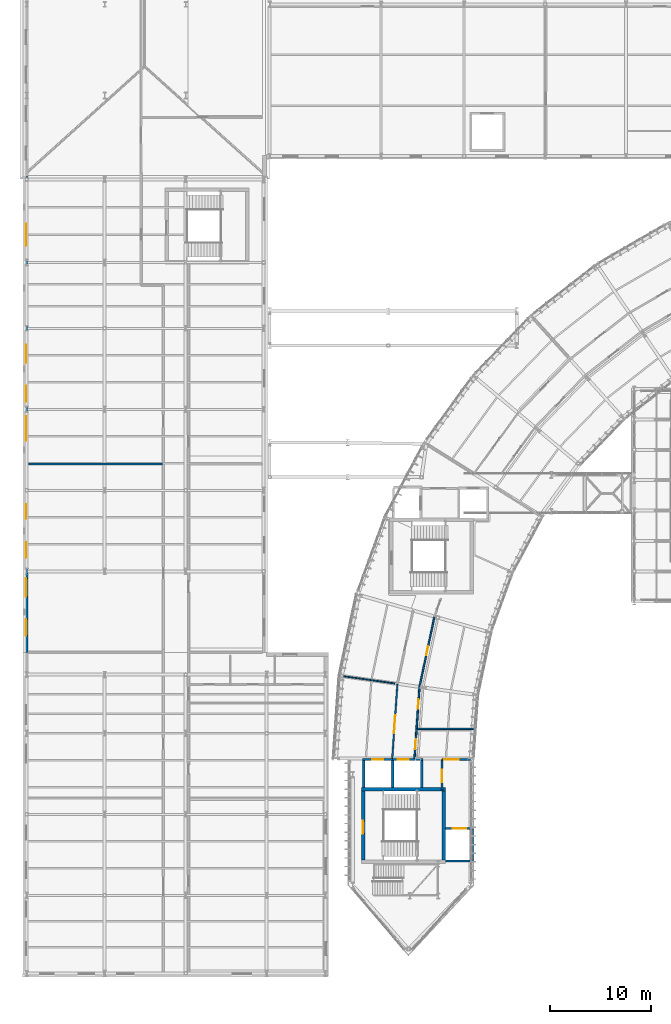
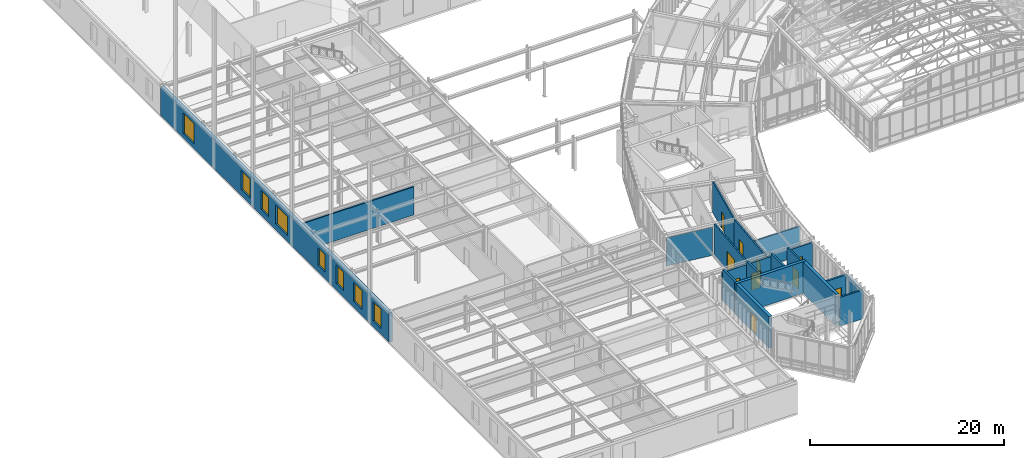
# One storey, part 125 of 148: 20 walls, 10 doors, 8 windows, 18 openings.
"""IFC4 building model written with IfcOpenShell, lengths in metres."""

from ifc_helpers import new_model, si_unit, direction, frame, frame_2d, origin, place, context, subcontext, project, spatial, rectangle, extrude, material, layer, layer_set, type_object, element, fill, save


model = new_model("IFC4")

# Units and contexts
model_context = context("Model", 3, precision=1e-05, world=origin(), true_north=direction((0.0, 1.0)))
body_context = subcontext(model_context, "Body", "Model", "MODEL_VIEW")
ifc_project = project(units=[si_unit("LENGTHUNIT", "METRE"), si_unit("AREAUNIT", "SQUARE_METRE"), si_unit("VOLUMEUNIT", "CUBIC_METRE"), si_unit("PLANEANGLEUNIT", "RADIAN"), si_unit("MASSUNIT", "GRAM", prefix="KILO"), si_unit("THERMODYNAMICTEMPERATUREUNIT", "KELVIN"), si_unit("POWERUNIT", "WATT")], contexts=[model_context])

# Site, building, storey
site_placement = place(None, origin())
site = spatial("IfcSite", under=ifc_project, at=site_placement, CompositionType="ELEMENT")
building_placement = place(site_placement, origin())
building = spatial("IfcBuilding", under=site, at=building_placement, Name="Solvatero Civic Police Headquarters", CompositionType="ELEMENT")
storey_placement = place(building_placement, frame((0.0, 0.0, 5.10009765625)))
storey = spatial("IfcBuildingStorey", under=building, at=storey_placement, Name="L01", CompositionType="ELEMENT", Elevation=5.10009765625)

# Wall, openings, windows
ifc_material_1 = material(Name="Cream Limestone Ashlar", Category="masonry")
ifc_layer_1 = layer(ifc_material_1, 0.419921875)
ifc_layer_set_1 = layer_set([ifc_layer_1], Name="Cream Limestone Ashlar")
wall_type_1 = type_object("IfcWallType", Name="WL-EXT-LIME-420", PredefinedType="SOLIDWALL", material=ifc_layer_set_1)
wall_1_placement = place(storey_placement, frame((4.719970703125, 36.5, 0.0), z_axis=(0.0, 0.0, 1.0), x_axis=(0.0, 1.0, 0.0)))
wall_1 = element("IfcWall", 1, at=wall_1_placement, inside=storey, type_object=wall_type_1, Name="Exterior Wall WLE-L01-V6-W", PredefinedType="SOLIDWALL", context=body_context, shape_type="SweptSolid", body=[
    extrude(rectangle(XDim=47.0, YDim=0.419921875, at=frame_2d((23.5, 0.0))), origin(), (0.0, 0.0, 1.0), 3.659912109375),
])
opening_1_placement = place(wall_1_placement, frame((1.64990234375, 0.0, 0.739990234375)))
opening_1 = element("IfcOpeningElement", 2, at=opening_1_placement, cuts=wall_1, Name="Opening W-04", PredefinedType="OPENING", context=body_context, shape_type="SweptSolid", body=[
    extrude(rectangle(XDim=1.60009765625, YDim=2.39990234375, at=frame_2d((0.800048828125, 1.199951171875))), frame((0.0, 0.219970703125, 0.0), z_axis=(0.0, -1.0, 0.0), x_axis=(1.0, 0.0, 0.0)), (0.0, 0.0, 1.0), 0.43994140625),
])
opening_2_placement = place(wall_1_placement, frame((5.5, 0.0, 0.739990234375)))
opening_2 = element("IfcOpeningElement", 3, at=opening_2_placement, cuts=wall_1, Name="Opening W-05", PredefinedType="OPENING", context=body_context, shape_type="SweptSolid", body=[
    extrude(rectangle(XDim=1.800048828125, YDim=2.39990234375, at=frame_2d((0.89990234375, 1.199951171875))), frame((0.0, 0.219970703125, 0.0), z_axis=(0.0, -1.0, 0.0), x_axis=(1.0, 0.0, 0.0)), (0.0, 0.0, 1.0), 0.43994140625),
])
opening_3_placement = place(wall_1_placement, frame((9.35009765625, 0.0, 0.840087890625)))
opening_3 = element("IfcOpeningElement", 4, at=opening_3_placement, cuts=wall_1, Name="Opening W-03", PredefinedType="OPENING", context=body_context, shape_type="SweptSolid", body=[
    extrude(rectangle(XDim=1.5, YDim=2.300048828125, at=frame_2d((0.75, 1.14990234375))), frame((0.0, 0.219970703125, 0.0), z_axis=(0.0, -1.0, 0.0), x_axis=(1.0, 0.0, 0.0)), (0.0, 0.0, 1.0), 0.43994140625),
])
opening_4_placement = place(wall_1_placement, frame((13.199951171875, 0.0, 0.85009765625)))
opening_4 = element("IfcOpeningElement", 5, at=opening_4_placement, cuts=wall_1, Name="Opening W-02", PredefinedType="OPENING", context=body_context, shape_type="SweptSolid", body=[
    extrude(rectangle(XDim=1.39990234375, YDim=2.199951171875, at=frame_2d((0.699951171875, 1.10009765625))), frame((0.0, 0.219970703125, 0.0), z_axis=(0.0, -1.0, 0.0), x_axis=(1.0, 0.0, 0.0)), (0.0, 0.0, 1.0), 0.43994140625),
])
opening_5_placement = place(wall_1_placement, frame((20.89990234375, 0.0, 0.739990234375)))
opening_5 = element("IfcOpeningElement", 6, at=opening_5_placement, cuts=wall_1, Name="Opening W-08", PredefinedType="OPENING", context=body_context, shape_type="SweptSolid", body=[
    extrude(rectangle(XDim=2.39990234375, YDim=2.39990234375, at=frame_2d((1.199951171875, 1.199951171875))), frame((0.0, 0.219970703125, 0.0), z_axis=(0.0, -1.0, 0.0), x_axis=(1.0, 0.0, 0.0)), (0.0, 0.0, 1.0), 0.43994140625),
])
opening_6_placement = place(wall_1_placement, frame((24.75, 0.0, 0.739990234375)))
opening_6 = element("IfcOpeningElement", 7, at=opening_6_placement, cuts=wall_1, Name="Opening W-04", PredefinedType="OPENING", context=body_context, shape_type="SweptSolid", body=[
    extrude(rectangle(XDim=1.60009765625, YDim=2.39990234375, at=frame_2d((0.800048828125, 1.199951171875))), frame((0.0, 0.219970703125, 0.0), z_axis=(0.0, -1.0, 0.0), x_axis=(1.0, 0.0, 0.0)), (0.0, 0.0, 1.0), 0.43994140625),
])
opening_7_placement = place(wall_1_placement, frame((28.60009765625, 0.0, 0.739990234375)))
opening_7 = element("IfcOpeningElement", 8, at=opening_7_placement, cuts=wall_1, Name="Opening W-05", PredefinedType="OPENING", context=body_context, shape_type="SweptSolid", body=[
    extrude(rectangle(XDim=1.800048828125, YDim=2.39990234375, at=frame_2d((0.89990234375, 1.199951171875))), frame((0.0, 0.219970703125, 0.0), z_axis=(0.0, -1.0, 0.0), x_axis=(1.0, 0.0, 0.0)), (0.0, 0.0, 1.0), 0.43994140625),
])
opening_8_placement = place(wall_1_placement, frame((40.14990234375, 0.0, 0.5400390625)))
opening_8 = element("IfcOpeningElement", 9, at=opening_8_placement, cuts=wall_1, Name="Opening W-07", PredefinedType="OPENING", context=body_context, shape_type="SweptSolid", body=[
    extrude(rectangle(XDim=2.199951171875, YDim=2.60009765625, at=frame_2d((1.10009765625, 1.300048828125))), frame((0.0, 0.219970703125, 0.0), z_axis=(0.0, -1.0, 0.0), x_axis=(1.0, 0.0, 0.0)), (0.0, 0.0, 1.0), 0.43994140625),
])
ifc_material_2 = material(Name="Anodized Bronze Aluminium", Category="aluminium")
window_type_1 = type_object("IfcWindowType", Name="WN-CL-140x220", PartitioningType="SINGLE_PANEL", PredefinedType="WINDOW", material=ifc_material_2)
window_1_placement = place(opening_4_placement, origin())
window_1 = element("IfcWindow", 10, at=window_1_placement, inside=storey, type_object=window_type_1, Name="Exterior Window 0070", OverallHeight=2.199951171875, OverallWidth=1.39990234375, PartitioningType="SINGLE_PANEL", PredefinedType="WINDOW", context=body_context, shape_type="SweptSolid", body=[
    extrude(rectangle(XDim=1.39990234375, YDim=2.199951171875, at=frame_2d((0.699951171875, 1.10009765625))), frame((0.0, 0.030029296875, 0.0), z_axis=(0.0, -1.0, 0.0), x_axis=(1.0, 0.0, 0.0)), (0.0, 0.0, 1.0), 0.06005859375),
])
fill(opening_4, window_1)
window_type_2 = type_object("IfcWindowType", Name="WN-CL-150x230", PartitioningType="SINGLE_PANEL", PredefinedType="WINDOW", material=ifc_material_2)
window_2_placement = place(opening_3_placement, origin())
window_2 = element("IfcWindow", 11, at=window_2_placement, inside=storey, type_object=window_type_2, Name="Exterior Window 0069", OverallHeight=2.300048828125, OverallWidth=1.5, PartitioningType="SINGLE_PANEL", PredefinedType="WINDOW", context=body_context, shape_type="SweptSolid", body=[
    extrude(rectangle(XDim=1.5, YDim=2.300048828125, at=frame_2d((0.75, 1.14990234375))), frame((0.0, 0.030029296875, 0.0), z_axis=(0.0, -1.0, 0.0), x_axis=(1.0, 0.0, 0.0)), (0.0, 0.0, 1.0), 0.06005859375),
])
fill(opening_3, window_2)
window_type_3 = type_object("IfcWindowType", Name="WN-CL-160x240", PartitioningType="SINGLE_PANEL", PredefinedType="WINDOW", material=ifc_material_2)
window_3_placement = place(opening_1_placement, origin())
window_3 = element("IfcWindow", 12, at=window_3_placement, inside=storey, type_object=window_type_3, Name="Exterior Window 0067", OverallHeight=2.39990234375, OverallWidth=1.60009765625, PartitioningType="SINGLE_PANEL", PredefinedType="WINDOW", context=body_context, shape_type="SweptSolid", body=[
    extrude(rectangle(XDim=1.60009765625, YDim=2.39990234375, at=frame_2d((0.800048828125, 1.199951171875))), frame((0.0, 0.030029296875, 0.0), z_axis=(0.0, -1.0, 0.0), x_axis=(1.0, 0.0, 0.0)), (0.0, 0.0, 1.0), 0.06005859375),
])
fill(opening_1, window_3)
window_4_placement = place(opening_6_placement, origin())
window_4 = element("IfcWindow", 13, at=window_4_placement, inside=storey, type_object=window_type_3, Name="Exterior Window 0072", OverallHeight=2.39990234375, OverallWidth=1.60009765625, PartitioningType="SINGLE_PANEL", PredefinedType="WINDOW", context=body_context, shape_type="SweptSolid", body=[
    extrude(rectangle(XDim=1.60009765625, YDim=2.39990234375, at=frame_2d((0.800048828125, 1.199951171875))), frame((0.0, 0.030029296875, 0.0), z_axis=(0.0, -1.0, 0.0), x_axis=(1.0, 0.0, 0.0)), (0.0, 0.0, 1.0), 0.06005859375),
])
fill(opening_6, window_4)
window_type_4 = type_object("IfcWindowType", Name="WN-CL-180x240", PartitioningType="SINGLE_PANEL", PredefinedType="WINDOW", material=ifc_material_2)
window_5_placement = place(opening_2_placement, origin())
window_5 = element("IfcWindow", 14, at=window_5_placement, inside=storey, type_object=window_type_4, Name="Exterior Window 0068", OverallHeight=2.39990234375, OverallWidth=1.800048828125, PartitioningType="SINGLE_PANEL", PredefinedType="WINDOW", context=body_context, shape_type="SweptSolid", body=[
    extrude(rectangle(XDim=1.800048828125, YDim=2.39990234375, at=frame_2d((0.89990234375, 1.199951171875))), frame((0.0, 0.030029296875, 0.0), z_axis=(0.0, -1.0, 0.0), x_axis=(1.0, 0.0, 0.0)), (0.0, 0.0, 1.0), 0.06005859375),
])
fill(opening_2, window_5)
window_6_placement = place(opening_7_placement, origin())
window_6 = element("IfcWindow", 15, at=window_6_placement, inside=storey, type_object=window_type_4, Name="Exterior Window 0073", OverallHeight=2.39990234375, OverallWidth=1.800048828125, PartitioningType="SINGLE_PANEL", PredefinedType="WINDOW", context=body_context, shape_type="SweptSolid", body=[
    extrude(rectangle(XDim=1.800048828125, YDim=2.39990234375, at=frame_2d((0.89990234375, 1.199951171875))), frame((0.0, 0.030029296875, 0.0), z_axis=(0.0, -1.0, 0.0), x_axis=(1.0, 0.0, 0.0)), (0.0, 0.0, 1.0), 0.06005859375),
])
fill(opening_7, window_6)
window_type_5 = type_object("IfcWindowType", Name="WN-CL-220x260", PartitioningType="SINGLE_PANEL", PredefinedType="WINDOW", material=ifc_material_2)
window_7_placement = place(opening_8_placement, origin())
window_7 = element("IfcWindow", 16, at=window_7_placement, inside=storey, type_object=window_type_5, Name="Exterior Window 0074", OverallHeight=2.60009765625, OverallWidth=2.199951171875, PartitioningType="SINGLE_PANEL", PredefinedType="WINDOW", context=body_context, shape_type="SweptSolid", body=[
    extrude(rectangle(XDim=2.199951171875, YDim=2.60009765625, at=frame_2d((1.10009765625, 1.300048828125))), frame((0.0, 0.030029296875, 0.0), z_axis=(0.0, -1.0, 0.0), x_axis=(1.0, 0.0, 0.0)), (0.0, 0.0, 1.0), 0.06005859375),
])
fill(opening_8, window_7)
window_type_6 = type_object("IfcWindowType", Name="WN-CL-240x240", PartitioningType="SINGLE_PANEL", PredefinedType="WINDOW", material=ifc_material_2)
window_8_placement = place(opening_5_placement, origin())
window_8 = element("IfcWindow", 17, at=window_8_placement, inside=storey, type_object=window_type_6, Name="Exterior Window 0071", OverallHeight=2.39990234375, OverallWidth=2.39990234375, PartitioningType="SINGLE_PANEL", PredefinedType="WINDOW", context=body_context, shape_type="SweptSolid", body=[
    extrude(rectangle(XDim=2.39990234375, YDim=2.39990234375, at=frame_2d((1.199951171875, 1.199951171875))), frame((0.0, 0.030029296875, 0.0), z_axis=(0.0, -1.0, 0.0), x_axis=(1.0, 0.0, 0.0)), (0.0, 0.0, 1.0), 0.06005859375),
])
fill(opening_5, window_8)

# Wall
ifc_material_3 = material(Name="Gypsum Acoustic Stud", Category="gypsum")
ifc_layer_2 = layer(ifc_material_3, 0.1201171875)
ifc_layer_set_2 = layer_set([ifc_layer_2], Name="Gypsum Acoustic Stud")
wall_type_2 = type_object("IfcWallType", Name="WL-PTN-120", PredefinedType="PARTITIONING", material=ifc_layer_set_2)
wall_2_placement = place(storey_placement, frame((41.169189453125, 33.4248046875, 0.0), z_axis=(0.0, 0.0, 1.0), x_axis=(-0.990266484291, 0.13918437445, 0.0)))
element("IfcWall", 18, at=wall_2_placement, inside=storey, type_object=wall_type_2, Name="Interior Partition WLP-L01-ARC-RAD-B11", PredefinedType="PARTITIONING", context=body_context, shape_type="SweptSolid", body=[
    extrude(rectangle(XDim=5.14990234375, YDim=0.1201171875, at=frame_2d((2.574951171875, 0.0))), origin(), (0.0, 0.0, 1.0), 3.52978515625),
])

# Wall, opening, door
ifc_layer_3 = layer(ifc_material_3, 0.14990234375)
ifc_layer_set_3 = layer_set([ifc_layer_3], Name="Gypsum Acoustic Stud")
wall_type_3 = type_object("IfcWallType", Name="WL-PTN-150", PredefinedType="PARTITIONING", material=ifc_layer_set_3)
wall_3_placement = place(storey_placement, frame((45.07177734375, 40.02978515625, 0.0), z_axis=(0.0, 0.0, 1.0), x_axis=(-0.207903987445, -0.978149238104, 0.0)))
wall_3 = element("IfcWall", 19, at=wall_3_placement, inside=storey, type_object=wall_type_3, Name="Interior Partition WLP-L01-ARC-CIN-B11", PredefinedType="PARTITIONING", context=body_context, shape_type="SweptSolid", body=[
    extrude(rectangle(XDim=7.10107421875, YDim=0.14990234375, at=frame_2d((3.550537109375, 0.0))), origin(), (0.0, 0.0, 1.0), 3.919921875),
])
opening_9_placement = place(wall_3_placement, frame((2.98193359375, 0.0, 0.0)))
opening_9 = element("IfcOpeningElement", 20, at=opening_9_placement, cuts=wall_3, Name="Opening ID-03", PredefinedType="OPENING", context=body_context, shape_type="SweptSolid", body=[
    extrude(rectangle(XDim=0.919921875, YDim=2.1201171875, at=frame_2d((0.4599609375, 1.06005859375))), frame((0.0, 0.0849609375, 0.0), z_axis=(0.0, -1.0, 0.0), x_axis=(1.0, 0.0, 0.0)), (0.0, 0.0, 1.0), 0.169921875),
])
ifc_material_4 = material(Name="Acoustic Oak Timber Veneer", Category="wood")
door_type_1 = type_object("IfcDoorType", Name="DR-OFF-092x212", OperationType="NOTDEFINED", PredefinedType="DOOR", material=ifc_material_4)
door_1_placement = place(opening_9_placement, origin())
door_1 = element("IfcDoor", 21, at=door_1_placement, inside=storey, type_object=door_type_1, Name="Interior Door DR-L01-ARC-IN-B11", OperationType="SINGLE_SWING_LEFT", OverallHeight=2.1201171875, OverallWidth=0.919921875, PredefinedType="DOOR", context=body_context, shape_type="SweptSolid", body=[
    extrude(rectangle(XDim=0.919921875, YDim=2.1201171875, at=frame_2d((0.4599609375, 1.06005859375))), frame((0.0, 0.02490234375, 0.0), z_axis=(0.0, -1.0, 0.0), x_axis=(1.0, 0.0, 0.0)), (0.0, 0.0, 1.0), 0.050048828125),
])
fill(opening_9, door_1)

# Walls
wall_4_placement = place(storey_placement, frame((43.374755859375, 28.929931640625, 0.0), z_axis=(0.0, 0.0, 1.0), x_axis=(1.0, 0.0, 0.0)))
element("IfcWall", 22, at=wall_4_placement, inside=storey, type_object=wall_type_3, Name="Interior Partition WLP-L01-ARC-WCDIV-B12", PredefinedType="PARTITIONING", context=body_context, shape_type="SweptSolid", body=[
    extrude(rectangle(XDim=5.630126953125, YDim=0.14990234375, at=frame_2d((2.81494140625, 0.0))), origin(), (0.0, 0.0, 1.0), 3.677978515625),
])
ifc_material_5 = material(Name="Concrete Blockwork", Category="masonry")
ifc_layer_4 = layer(ifc_material_5, 0.1650390625)
ifc_layer_set_4 = layer_set([ifc_layer_4], Name="Concrete Blockwork")
wall_type_4 = type_object("IfcWallType", Name="WL-PTN-165", PredefinedType="PARTITIONING", material=ifc_layer_set_4)
wall_5_placement = place(storey_placement, frame((5.0, 55.10009765625, 0.0), z_axis=(0.0, 0.0, 1.0), x_axis=(1.0, 0.0, 0.0)))
element("IfcWall", 23, at=wall_5_placement, inside=storey, type_object=wall_type_4, Name="Interior Partition WLP-L01-V6-H1", PredefinedType="PARTITIONING", context=body_context, shape_type="SweptSolid", body=[
    extrude(rectangle(XDim=13.199951171875, YDim=0.1650390625, at=frame_2d((6.60009765625, 0.0))), origin(), (0.0, 0.0, 1.0), 3.52783203125),
])

# Wall, openings, doors
wall_6_placement = place(storey_placement, frame((43.595458984375, 33.083984375, 0.0), z_axis=(0.0, 0.0, 1.0), x_axis=(-0.069756597752, -0.997564041588, 0.0)))
wall_6 = element("IfcWall", 24, at=wall_6_placement, inside=storey, type_object=wall_type_4, Name="Interior Partition WLP-L01-ARC-CIN-B12", PredefinedType="PARTITIONING", context=body_context, shape_type="SweptSolid", body=[
    extrude(rectangle(XDim=7.101318359375, YDim=0.1650390625, at=frame_2d((3.55078125, 0.0))), origin(), (0.0, 0.0, 1.0), 3.919921875),
])
opening_10_placement = place(wall_6_placement, frame((5.200927734375, 0.0, 0.0)))
opening_10 = element("IfcOpeningElement", 25, at=opening_10_placement, cuts=wall_6, Name="Opening ID-04", PredefinedType="OPENING", context=body_context, shape_type="SweptSolid", body=[
    extrude(rectangle(XDim=0.949951171875, YDim=2.14990234375, at=frame_2d((0.47509765625, 1.074951171875))), frame((0.0, 0.092529296875, 0.0), z_axis=(0.0, -1.0, 0.0), x_axis=(1.0, 0.0, 0.0)), (0.0, 0.0, 1.0), 0.18505859375),
])
opening_11_placement = place(wall_6_placement, frame((1.199951171875, 0.0, 0.0)))
opening_11 = element("IfcOpeningElement", 26, at=opening_11_placement, cuts=wall_6, Name="Opening ID-04", PredefinedType="OPENING", context=body_context, shape_type="SweptSolid", body=[
    extrude(rectangle(XDim=0.949951171875, YDim=2.14990234375, at=frame_2d((0.47509765625, 1.074951171875))), frame((0.0, 0.092529296875, 0.0), z_axis=(0.0, -1.0, 0.0), x_axis=(1.0, 0.0, 0.0)), (0.0, 0.0, 1.0), 0.18505859375),
])
door_type_2 = type_object("IfcDoorType", Name="DR-ACC-095x215", OperationType="NOTDEFINED", PredefinedType="DOOR", material=ifc_material_4)
door_2_placement = place(opening_10_placement, origin())
door_2 = element("IfcDoor", 27, at=door_2_placement, inside=storey, type_object=door_type_2, Name="Interior Door DR-L01-ARC-WC-B12", OperationType="SINGLE_SWING_LEFT", OverallHeight=2.14990234375, OverallWidth=0.949951171875, PredefinedType="DOOR", context=body_context, shape_type="SweptSolid", body=[
    extrude(rectangle(XDim=0.949951171875, YDim=2.14990234375, at=frame_2d((0.47509765625, 1.074951171875))), frame((0.0, 0.02490234375, 0.0), z_axis=(0.0, -1.0, 0.0), x_axis=(1.0, 0.0, 0.0)), (0.0, 0.0, 1.0), 0.050048828125),
])
fill(opening_10, door_2)
door_3_placement = place(opening_11_placement, origin())
door_3 = element("IfcDoor", 28, at=door_3_placement, inside=storey, type_object=door_type_2, Name="Interior Door DR-L01-ARC-IN-B12", OperationType="SINGLE_SWING_RIGHT", OverallHeight=2.14990234375, OverallWidth=0.949951171875, PredefinedType="DOOR", context=body_context, shape_type="SweptSolid", body=[
    extrude(rectangle(XDim=0.949951171875, YDim=2.14990234375, at=frame_2d((0.47509765625, 1.074951171875))), frame((0.0, 0.02490234375, 0.0), z_axis=(0.0, -1.0, 0.0), x_axis=(1.0, 0.0, 0.0)), (0.0, 0.0, 1.0), 0.050048828125),
])
fill(opening_11, door_3)

# Wall, opening, door
wall_7_placement = place(storey_placement, frame((41.416748046875, 33.39013671875, 0.0), z_axis=(0.0, 0.0, 1.0), x_axis=(-0.069766817412, -0.997563326906, 0.0)))
wall_7 = element("IfcWall", 29, at=wall_7_placement, inside=storey, type_object=wall_type_4, Name="Interior Partition WLP-L01-ARC-COUT-B12", PredefinedType="PARTITIONING", context=body_context, shape_type="SweptSolid", body=[
    extrude(rectangle(XDim=7.408203125, YDim=0.1650390625, at=frame_2d((3.7041015625, 0.0))), origin(), (0.0, 0.0, 1.0), 3.919921875),
])
opening_12_placement = place(wall_7_placement, frame((3.111083984375, 0.0, 0.0)))
opening_12 = element("IfcOpeningElement", 30, at=opening_12_placement, cuts=wall_7, Name="Opening ID-17", PredefinedType="OPENING", context=body_context, shape_type="SweptSolid", body=[
    extrude(rectangle(XDim=1.760009765625, YDim=2.360107421875, at=frame_2d((0.8798828125, 1.18017578125))), frame((0.0, 0.092529296875, 0.0), z_axis=(0.0, -1.0, 0.0), x_axis=(1.0, 0.0, 0.0)), (0.0, 0.0, 1.0), 0.18505859375),
])
ifc_material_6 = material(Name="Powder-Coated Steel", Category="steel")
door_type_3 = type_object("IfcDoorType", Name="DR-DBL-176x236", OperationType="NOTDEFINED", PredefinedType="DOOR", material=ifc_material_6)
door_4_placement = place(opening_12_placement, origin())
door_4 = element("IfcDoor", 31, at=door_4_placement, inside=storey, type_object=door_type_3, Name="Interior Door DR-L01-ARC-OUT-B12", OperationType="DOUBLE_DOOR_SINGLE_SWING", OverallHeight=2.360107421875, OverallWidth=1.760009765625, PredefinedType="DOOR", context=body_context, shape_type="SweptSolid", body=[
    extrude(rectangle(XDim=1.760009765625, YDim=2.360107421875, at=frame_2d((0.8798828125, 1.18017578125))), frame((0.0, 0.02490234375, 0.0), z_axis=(0.0, -1.0, 0.0), x_axis=(1.0, 0.0, 0.0)), (0.0, 0.0, 1.0), 0.050048828125),
])
fill(opening_12, door_4)

ifc_layer_5 = layer(ifc_material_5, 0.199951171875)
ifc_layer_set_5 = layer_set([ifc_layer_5], Name="Concrete Blockwork")
wall_type_5 = type_object("IfcWallType", Name="WL-PTN-200", PredefinedType="PARTITIONING", material=ifc_layer_set_5)
wall_8_placement = place(storey_placement, frame((45.800048828125, 22.89990234375, 0.0), z_axis=(0.0, 0.0, 1.0), x_axis=(0.0, 1.0, 0.0)))
wall_8 = element("IfcWall", 32, at=wall_8_placement, inside=storey, type_object=wall_type_5, Name="Interior Partition WLP-FFL-C1-L01-W", PredefinedType="PARTITIONING", context=body_context, shape_type="SweptSolid", body=[
    extrude(rectangle(XDim=3.0, YDim=0.199951171875, at=frame_2d((1.5, 0.0))), origin(), (0.0, 0.0, 1.0), 3.919921875),
])
opening_13_placement = place(wall_8_placement, frame((0.75, 0.0, 0.0)))
opening_13 = element("IfcOpeningElement", 33, at=opening_13_placement, cuts=wall_8, Name="Opening FD-01", PredefinedType="OPENING", context=body_context, shape_type="SweptSolid", body=[
    extrude(rectangle(XDim=1.25, YDim=2.199951171875, at=frame_2d((0.625, 1.10009765625))), frame((0.0, 0.10986328125, 0.0), z_axis=(0.0, -1.0, 0.0), x_axis=(1.0, 0.0, 0.0)), (0.0, 0.0, 1.0), 0.219970703125),
])
door_type_4 = type_object("IfcDoorType", Name="DR-STR-125x220", OperationType="NOTDEFINED", PredefinedType="DOOR", material=ifc_material_6)
door_5_placement = place(opening_13_placement, origin())
door_5 = element("IfcDoor", 34, at=door_5_placement, inside=storey, type_object=door_type_4, Name="Interior Door DR-FFL-C1-L01-W", OperationType="SINGLE_SWING_LEFT", OverallHeight=2.199951171875, OverallWidth=1.25, PredefinedType="DOOR", context=body_context, shape_type="SweptSolid", body=[
    extrude(rectangle(XDim=1.25, YDim=2.199951171875, at=frame_2d((0.625, 1.10009765625))), frame((0.0, 0.02490234375, 0.0), z_axis=(0.0, -1.0, 0.0), x_axis=(1.0, 0.0, 0.0)), (0.0, 0.0, 1.0), 0.050048828125),
])
fill(opening_13, door_5)

wall_9_placement = place(storey_placement, frame((45.800048828125, 25.89990234375, 0.0), z_axis=(0.0, 0.0, 1.0), x_axis=(1.0, 0.0, 0.0)))
wall_9 = element("IfcWall", 35, at=wall_9_placement, inside=storey, type_object=wall_type_5, Name="Interior Partition WLP-FFL-C1-L01-N", PredefinedType="PARTITIONING", context=body_context, shape_type="SweptSolid", body=[
    extrude(rectangle(XDim=2.849853515625, YDim=0.199951171875, at=frame_2d((1.4248046875, 0.0))), origin(), (0.0, 0.0, 1.0), 3.579833984375),
])
opening_14_placement = place(wall_9_placement, frame((0.25, 0.0, 0.0)))
opening_14 = element("IfcOpeningElement", 36, at=opening_14_placement, cuts=wall_9, Name="Opening FD-02", PredefinedType="OPENING", context=body_context, shape_type="SweptSolid", body=[
    extrude(rectangle(XDim=1.39990234375, YDim=2.25, at=frame_2d((0.699951171875, 1.125))), frame((0.0, 0.10986328125, 0.0), z_axis=(0.0, -1.0, 0.0), x_axis=(1.0, 0.0, 0.0)), (0.0, 0.0, 1.0), 0.219970703125),
])
door_type_5 = type_object("IfcDoorType", Name="DR-LOB-140x225", OperationType="NOTDEFINED", PredefinedType="DOOR", material=ifc_material_6)
door_6_placement = place(opening_14_placement, origin())
door_6 = element("IfcDoor", 37, at=door_6_placement, inside=storey, type_object=door_type_5, Name="Interior Door DR-FFL-C1-L01-ACC", OperationType="DOUBLE_DOOR_SINGLE_SWING", OverallHeight=2.25, OverallWidth=1.39990234375, PredefinedType="DOOR", context=body_context, shape_type="SweptSolid", body=[
    extrude(rectangle(XDim=1.39990234375, YDim=2.25, at=frame_2d((0.699951171875, 1.125))), frame((0.0, 0.02490234375, 0.0), z_axis=(0.0, -1.0, 0.0), x_axis=(1.0, 0.0, 0.0)), (0.0, 0.0, 1.0), 0.050048828125),
])
fill(opening_14, door_6)

# Wall
ifc_material_7 = material(Name="Concrete C35/45", Category="concrete")
ifc_layer_6 = layer(ifc_material_7, 0.219970703125)
ifc_layer_set_6 = layer_set([ifc_layer_6], Name="Concrete C35/45")
wall_type_6 = type_object("IfcWallType", Name="WL-SHF-220", PredefinedType="PARTITIONING", material=ifc_layer_set_6)
wall_10_placement = place(storey_placement, frame((46.159912109375, 15.889892578125, 0.0), z_axis=(0.0, 0.0, 1.0), x_axis=(1.0, 0.0, 0.0)))
element("IfcWall", 38, at=wall_10_placement, inside=storey, type_object=wall_type_6, Name="Lift Shaft Wall WLS-FL-01-L01-S", PredefinedType="PARTITIONING", context=body_context, shape_type="SweptSolid", body=[
    extrude(rectangle(XDim=2.760009765625, YDim=0.219970703125, at=frame_2d((1.3798828125, 0.0))), origin(), (0.0, 0.0, 1.0), 3.617919921875),
])

# Wall, opening, door
wall_11_placement = place(storey_placement, frame((46.159912109375, 19.110107421875, 0.0), z_axis=(0.0, 0.0, 1.0), x_axis=(1.0, 0.0, 0.0)))
wall_11 = element("IfcWall", 39, at=wall_11_placement, inside=storey, type_object=wall_type_6, Name="Lift Shaft Wall WLS-FL-01-L01-N", PredefinedType="PARTITIONING", context=body_context, shape_type="SweptSolid", body=[
    extrude(rectangle(XDim=2.760009765625, YDim=0.219970703125, at=frame_2d((1.3798828125, 0.0))), origin(), (0.0, 0.0, 1.0), 3.617919921875),
])
opening_15_placement = place(wall_11_placement, frame((0.72998046875, 0.0, 0.0)))
opening_15 = element("IfcOpeningElement", 40, at=opening_15_placement, cuts=wall_11, Name="Opening LD-02", PredefinedType="OPENING", context=body_context, shape_type="SweptSolid", body=[
    extrude(rectangle(XDim=1.300048828125, YDim=2.199951171875, at=frame_2d((0.64990234375, 1.10009765625))), frame((0.0, 0.119873046875, 0.0), z_axis=(0.0, -1.0, 0.0), x_axis=(1.0, 0.0, 0.0)), (0.0, 0.0, 1.0), 0.239990234375),
])
ifc_material_8 = material(Name="Stainless Steel Grade 316", Category="steel")
door_type_6 = type_object("IfcDoorType", Name="DR-LFT-130x220", OperationType="DOUBLE_DOOR_SLIDING", PredefinedType="DOOR", material=ifc_material_8)
door_7_placement = place(opening_15_placement, origin())
door_7 = element("IfcDoor", 41, at=door_7_placement, inside=storey, type_object=door_type_6, Name="Interior Door DR-LFT-FL-01-L01", OperationType="DOUBLE_DOOR_SLIDING", OverallHeight=2.199951171875, OverallWidth=1.300048828125, PredefinedType="DOOR", context=body_context, shape_type="SweptSolid", body=[
    extrude(rectangle(XDim=1.300048828125, YDim=2.199951171875, at=frame_2d((0.64990234375, 1.10009765625))), frame((0.0, 0.02490234375, 0.0), z_axis=(0.0, -1.0, 0.0), x_axis=(1.0, 0.0, 0.0)), (0.0, 0.0, 1.0), 0.050048828125),
])
fill(opening_15, door_7)

# Wall
wall_12_placement = place(storey_placement, frame((48.81005859375, 16.0, 0.0), z_axis=(0.0, 0.0, 1.0), x_axis=(0.0, 1.0, 0.0)))
element("IfcWall", 42, at=wall_12_placement, inside=storey, type_object=wall_type_6, Name="Lift Shaft Wall WLS-FL-01-L01-E", PredefinedType="PARTITIONING", context=body_context, shape_type="SweptSolid", body=[
    extrude(rectangle(XDim=3.0, YDim=0.219970703125, at=frame_2d((1.5, 0.0))), origin(), (0.0, 0.0, 1.0), 3.619873046875),
])

# Wall, opening, door
wall_13_placement = place(storey_placement, frame((37.97998046875, 25.909912109375, 0.0), z_axis=(0.0, 0.0, 1.0), x_axis=(1.0, 0.0, 0.0)))
wall_13 = element("IfcWall", 43, at=wall_13_placement, inside=storey, type_object=wall_type_6, Name="Lift Shaft Wall WLS-LP-01-L01-N", PredefinedType="PARTITIONING", context=body_context, shape_type="SweptSolid", body=[
    extrude(rectangle(XDim=2.969970703125, YDim=0.219970703125, at=frame_2d((1.48486328125, 0.0))), origin(), (0.0, 0.0, 1.0), 3.52978515625),
])
opening_16_placement = place(wall_13_placement, frame((0.93505859375, 0.0, 0.0)))
opening_16 = element("IfcOpeningElement", 44, at=opening_16_placement, cuts=wall_13, Name="Opening LD-01", PredefinedType="OPENING", context=body_context, shape_type="SweptSolid", body=[
    extrude(rectangle(XDim=1.10009765625, YDim=2.14990234375, at=frame_2d((0.550048828125, 1.074951171875))), frame((0.0, 0.119873046875, 0.0), z_axis=(0.0, -1.0, 0.0), x_axis=(1.0, 0.0, 0.0)), (0.0, 0.0, 1.0), 0.239990234375),
])
door_type_7 = type_object("IfcDoorType", Name="DR-LFT-110x215", OperationType="DOUBLE_DOOR_SLIDING", PredefinedType="DOOR", material=ifc_material_8)
door_8_placement = place(opening_16_placement, origin())
door_8 = element("IfcDoor", 45, at=door_8_placement, inside=storey, type_object=door_type_7, Name="Interior Door DR-LFT-LP-01-L01", OperationType="DOUBLE_DOOR_SLIDING", OverallHeight=2.14990234375, OverallWidth=1.10009765625, PredefinedType="DOOR", context=body_context, shape_type="SweptSolid", body=[
    extrude(rectangle(XDim=1.10009765625, YDim=2.14990234375, at=frame_2d((0.550048828125, 1.074951171875))), frame((0.0, 0.02490234375, 0.0), z_axis=(0.0, -1.0, 0.0), x_axis=(1.0, 0.0, 0.0)), (0.0, 0.0, 1.0), 0.050048828125),
])
fill(opening_16, door_8)

# Walls
for number, where, z_axis, x_axis, name in (
    (46, (38.090087890625, 23.159912109375, 0.0), (0.0, 0.0, 1.0), (0.0, 1.0, 0.0), "Lift Shaft Wall WLS-LP-01-L01-W"),
    (47, (40.949951171875, 23.159912109375, 0.0), (0.0, 0.0, 1.0), (0.0, 1.0, 0.0), "Lift Shaft Wall WLS-LP-01-L01-E"),
):
    element("IfcWall", number, at=place(storey_placement, frame(where, z_axis=z_axis, x_axis=x_axis)), inside=storey, type_object=wall_type_6, Name=name, PredefinedType="PARTITIONING", context=body_context, shape_type="SweptSolid", body=[
        extrude(rectangle(XDim=2.64013671875, YDim=0.219970703125, at=frame_2d((1.320068359375, 0.0))), origin(), (0.0, 0.0, 1.0), 3.919921875),
    ])

# Wall, opening, door
wall_14_placement = place(storey_placement, frame((40.949951171875, 25.909912109375, 0.0), z_axis=(0.0, 0.0, 1.0), x_axis=(1.0, 0.0, 0.0)))
wall_14 = element("IfcWall", 48, at=wall_14_placement, inside=storey, type_object=wall_type_6, Name="Lift Shaft Wall WLS-LP-02-L01-N", PredefinedType="PARTITIONING", context=body_context, shape_type="SweptSolid", body=[
    extrude(rectangle(XDim=2.969970703125, YDim=0.219970703125, at=frame_2d((1.48486328125, 0.0))), origin(), (0.0, 0.0, 1.0), 3.52978515625),
])
opening_17_placement = place(wall_14_placement, frame((0.485107421875, 0.0, 0.0)))
opening_17 = element("IfcOpeningElement", 49, at=opening_17_placement, cuts=wall_14, Name="Opening LD-01", PredefinedType="OPENING", context=body_context, shape_type="SweptSolid", body=[
    extrude(rectangle(XDim=1.10009765625, YDim=2.14990234375, at=frame_2d((0.550048828125, 1.074951171875))), frame((0.0, 0.119873046875, 0.0), z_axis=(0.0, -1.0, 0.0), x_axis=(1.0, 0.0, 0.0)), (0.0, 0.0, 1.0), 0.239990234375),
])
door_9_placement = place(opening_17_placement, origin())
door_9 = element("IfcDoor", 50, at=door_9_placement, inside=storey, type_object=door_type_7, Name="Interior Door DR-LFT-LP-02-L01", OperationType="DOUBLE_DOOR_SLIDING", OverallHeight=2.14990234375, OverallWidth=1.10009765625, PredefinedType="DOOR", context=body_context, shape_type="SweptSolid", body=[
    extrude(rectangle(XDim=1.10009765625, YDim=2.14990234375, at=frame_2d((0.550048828125, 1.074951171875))), frame((0.0, 0.02490234375, 0.0), z_axis=(0.0, -1.0, 0.0), x_axis=(1.0, 0.0, 0.0)), (0.0, 0.0, 1.0), 0.050048828125),
])
fill(opening_17, door_9)

# Walls
wall_15_placement = place(storey_placement, frame((43.81005859375, 23.159912109375, 0.0), z_axis=(0.0, 0.0, 1.0), x_axis=(0.0, 1.0, 0.0)))
element("IfcWall", 51, at=wall_15_placement, inside=storey, type_object=wall_type_6, Name="Lift Shaft Wall WLS-LP-02-L01-E", PredefinedType="PARTITIONING", context=body_context, shape_type="SweptSolid", body=[
    extrude(rectangle(XDim=2.64013671875, YDim=0.219970703125, at=frame_2d((1.320068359375, 0.0))), origin(), (0.0, 0.0, 1.0), 3.919921875),
])
ifc_material_9 = material(Name="Concrete C40/50", Category="concrete")
ifc_layer_7 = layer(ifc_material_9, 0.35009765625)
ifc_layer_set_7 = layer_set([ifc_layer_7], Name="Concrete C40/50")
wall_type_7 = type_object("IfcWallType", Name="WL-SHR-350", PredefinedType="SHEAR", material=ifc_layer_set_7)
wall_16_placement = place(storey_placement, frame((37.85009765625, 22.97509765625, 0.0), z_axis=(0.0, 0.0, 1.0), x_axis=(1.0, 0.0, 0.0)))
element("IfcWall", 52, at=wall_16_placement, inside=storey, type_object=wall_type_7, Name="Core C1 Shear Wall N L01", PredefinedType="SHEAR", context=body_context, shape_type="SweptSolid", body=[
    extrude(rectangle(XDim=8.2998046875, YDim=0.35009765625, at=frame_2d((4.14990234375, 0.0))), origin(), (0.0, 0.0, 1.0), 3.97998046875),
])

# Wall, opening, door
wall_17_placement = place(storey_placement, frame((38.02490234375, 16.0, 0.0), z_axis=(0.0, 0.0, 1.0), x_axis=(0.0, 1.0, 0.0)))
wall_17 = element("IfcWall", 53, at=wall_17_placement, inside=storey, type_object=wall_type_7, Name="Core C1 Shear Wall W L01", PredefinedType="SHEAR", context=body_context, shape_type="SweptSolid", body=[
    extrude(rectangle(XDim=6.800048828125, YDim=0.35009765625, at=frame_2d((3.39990234375, 0.0))), origin(), (0.0, 0.0, 1.0), 3.97998046875),
])
opening_18_placement = place(wall_17_placement, frame((2.60009765625, 0.0, 0.0)))
opening_18 = element("IfcOpeningElement", 54, at=opening_18_placement, cuts=wall_17, Name="Opening FD-01", PredefinedType="OPENING", context=body_context, shape_type="SweptSolid", body=[
    extrude(rectangle(XDim=1.25, YDim=2.199951171875, at=frame_2d((0.625, 1.10009765625))), frame((0.0, 0.18505859375, 0.0), z_axis=(0.0, -1.0, 0.0), x_axis=(1.0, 0.0, 0.0)), (0.0, 0.0, 1.0), 0.3701171875),
])
door_10_placement = place(opening_18_placement, origin())
door_10 = element("IfcDoor", 55, at=door_10_placement, inside=storey, type_object=door_type_4, Name="Interior Door DR-STR-C1-L01", OperationType="SINGLE_SWING_LEFT", OverallHeight=2.199951171875, OverallWidth=1.25, PredefinedType="DOOR", context=body_context, shape_type="SweptSolid", body=[
    extrude(rectangle(XDim=1.25, YDim=2.199951171875, at=frame_2d((0.625, 1.10009765625))), frame((0.0, 0.02490234375, 0.0), z_axis=(0.0, -1.0, 0.0), x_axis=(1.0, 0.0, 0.0)), (0.0, 0.0, 1.0), 0.050048828125),
])
fill(opening_18, door_10)

# Wall
wall_18_placement = place(storey_placement, frame((45.97509765625, 16.0, 0.0), z_axis=(0.0, 0.0, 1.0), x_axis=(0.0, 1.0, 0.0)))
element("IfcWall", 56, at=wall_18_placement, inside=storey, type_object=wall_type_7, Name="Core C1 Shear Wall E L01", PredefinedType="SHEAR", context=body_context, shape_type="SweptSolid", body=[
    extrude(rectangle(XDim=6.800048828125, YDim=0.35009765625, at=frame_2d((3.39990234375, 0.0))), origin(), (0.0, 0.0, 1.0), 3.97998046875),
])

save(model, "model.ifc")
